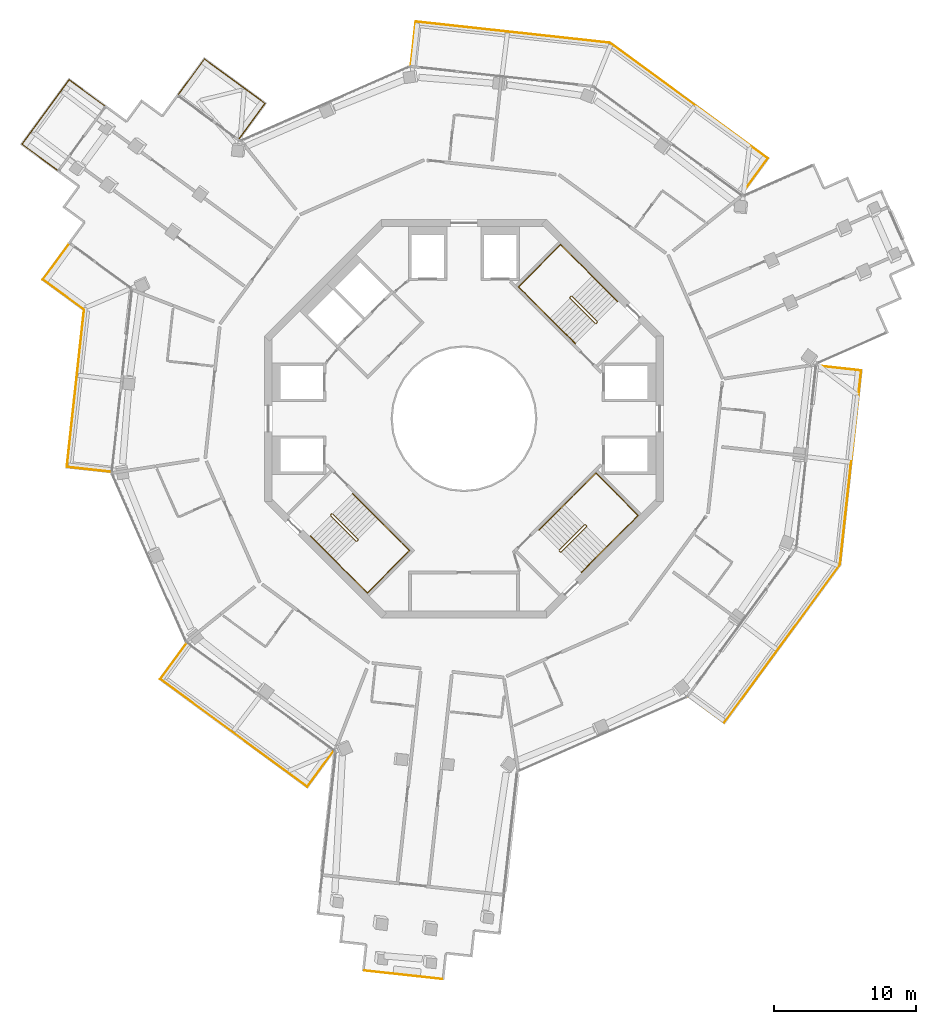
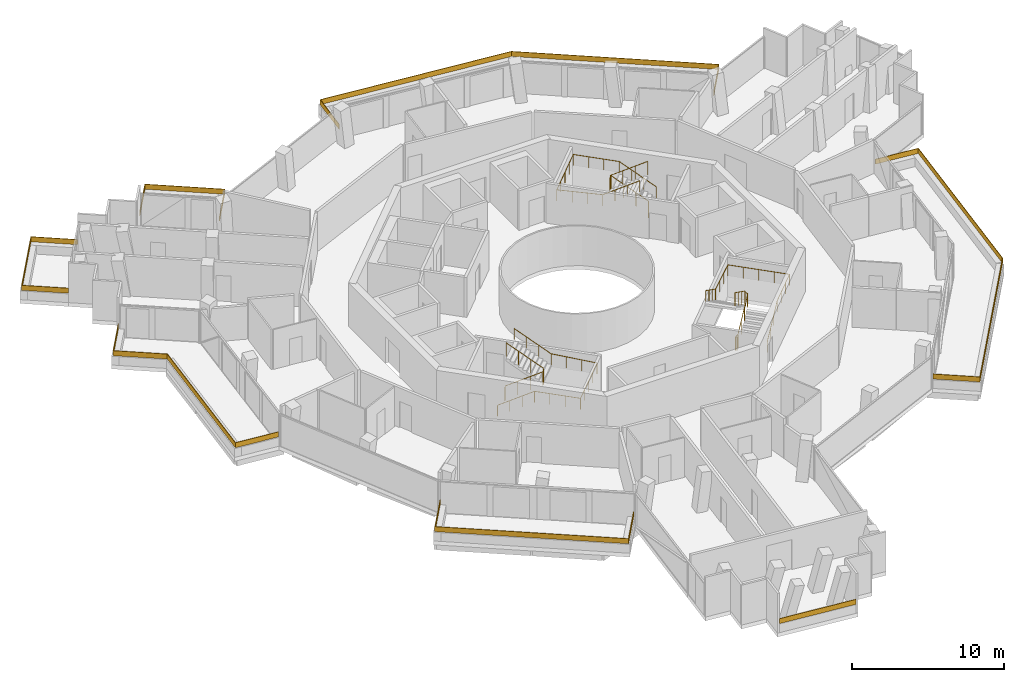
# One storey, part 22 of 22: 13 railings.
"""IFC4 building model written with IfcOpenShell, lengths in metres."""

from ifc_helpers import new_model, si_unit, direction, frame, origin, origin_2d, place, context, subcontext, project, spatial, polyline, rectangle, circle, outline, extrude, material, layer, layer_set, type_object, element, save


model = new_model("IFC4")

# Units and contexts
model_context = context("Model", 3, precision=1e-05, world=origin(), true_north=direction((0.0, 1.0)))
body_context = subcontext(model_context, "Body", "Model", "MODEL_VIEW")
ifc_project = project(units=[si_unit("LENGTHUNIT", "METRE"), si_unit("AREAUNIT", "SQUARE_METRE"), si_unit("VOLUMEUNIT", "CUBIC_METRE"), si_unit("PLANEANGLEUNIT", "RADIAN"), si_unit("MASSUNIT", "GRAM", prefix="KILO")], contexts=[model_context])

# Site, building, storey
site_placement = place(None, origin())
site = spatial("IfcSite", under=ifc_project, at=site_placement, CompositionType="ELEMENT")
building_placement = place(site_placement, origin())
building = spatial("IfcBuilding", under=site, at=building_placement, Name="Verdalira Terraces Hotel", CompositionType="ELEMENT")
storey_placement = place(building_placement, frame((0.0, 0.0, 252.5)))
storey = spatial("IfcBuildingStorey", under=building, at=storey_placement, Name="L62", CompositionType="ELEMENT", Elevation=252.5)

# Railings
ifc_material_1 = material(Name="Laminated glass", Category="glass")
ifc_layer = layer(ifc_material_1, 0.0400390625)
ifc_layer_set = layer_set([ifc_layer], Name="Balcony glass guard 400")
railing_type_1 = type_object("IfcRailingType", Name="Balcony glass guard 400", PredefinedType="GUARDRAIL", material=ifc_layer_set)
railing_1_placement = place(storey_placement, frame((0.0, 0.0, 0.699951)))
element("IfcRailing", 1, at=railing_1_placement, inside=storey, type_object=railing_type_1, Name="Balcony glass guard", PredefinedType="GUARDRAIL", context=body_context, shape_type="SweptSolid", body=[
    extrude(outline(polyline([(-27.727051, 23.769775), (-31.013916, 19.2854), (-28.530518, 17.465088), (-28.554199, 17.432861), (-31.069824, 19.276611), (-27.735596, 23.825684), (-25.219971, 21.981689), (-25.243652, 21.949463), (-27.727051, 23.769775)])), origin(), (0.0, 0.0, 1.0), 0.400146),
])
railing_2_placement = place(storey_placement, frame((0.0, 0.0, 0.699951)))
element("IfcRailing", 2, at=railing_2_placement, inside=storey, type_object=railing_type_1, Name="Balcony glass guard", PredefinedType="GUARDRAIL", context=body_context, shape_type="SweptSolid", body=[
    extrude(outline(polyline([(-29.549316, 9.780762), (-26.663086, 7.665283), (-27.869873, -3.370605), (-24.809082, -3.705322), (-24.813477, -3.745117), (-27.913818, -3.406006), (-26.705322, 7.646729), (-29.605225, 9.772217), (-27.761475, 12.287842), (-27.729248, 12.26416), (-29.549316, 9.780762)])), origin(), (0.0, 0.0, 1.0), 0.400146),
])
railing_3_placement = place(storey_placement, frame((0.0, 0.0, 0.699951)))
element("IfcRailing", 3, at=railing_3_placement, inside=storey, type_object=railing_type_1, Name="Balcony glass guard", PredefinedType="GUARDRAIL", context=body_context, shape_type="SweptSolid", body=[
    extrude(outline(polyline([(-21.307373, -18.278076), (-11.015869, -25.821289), (-9.195557, -23.337891), (-9.16333, -23.361572), (-11.00708, -25.877197), (-21.363281, -18.286621), (-19.519287, -15.770996), (-19.487061, -15.794678), (-21.307373, -18.278076)])), origin(), (0.0, 0.0, 1.0), 0.400146),
])
railing_4_placement = place(storey_placement, frame((0.0, 0.0, 0.699951)))
element("IfcRailing", 4, at=railing_4_placement, inside=storey, type_object=railing_type_1, Name="Balcony glass guard", PredefinedType="GUARDRAIL", context=body_context, shape_type="SweptSolid", body=[
    extrude(outline(polyline([(18.278076, -21.307373), (26.380127, -10.253418), (27.869873, 3.370605), (24.809082, 3.705322), (24.813477, 3.745117), (27.913818, 3.406006), (26.418701, -10.268311), (18.286621, -21.363281), (15.770996, -19.519287), (15.794678, -19.487061), (18.278076, -21.307373)])), origin(), (0.0, 0.0, 1.0), 0.400146),
])
railing_5_placement = place(storey_placement, frame((0.0, 0.0, 0.699951)))
element("IfcRailing", 5, at=railing_5_placement, inside=storey, type_object=railing_type_1, Name="Balcony glass guard", PredefinedType="GUARDRAIL", context=body_context, shape_type="SweptSolid", body=[
    extrude(outline(polyline([(21.307373, 18.278076), (10.253418, 26.380127), (-3.370605, 27.869873), (-3.705322, 24.809082), (-3.745117, 24.813477), (-3.406006, 27.913818), (10.268311, 26.418701), (21.363281, 18.286621), (19.519287, 15.770996), (19.487061, 15.794678), (21.307373, 18.278076)])), origin(), (0.0, 0.0, 1.0), 0.400146),
])
railing_6_placement = place(storey_placement, frame((0.0, 0.0, 0.699951)))
element("IfcRailing", 6, at=railing_6_placement, inside=storey, type_object=railing_type_1, Name="Balcony glass guard", PredefinedType="GUARDRAIL", context=body_context, shape_type="SweptSolid", body=[
    extrude(outline(polyline([(-13.998779, 22.138428), (-18.222656, 25.234375), (-20.042725, 22.750977), (-20.075195, 22.774658), (-18.231201, 25.290283), (-13.942871, 22.146973), (-15.786865, 19.631348), (-15.819092, 19.655029), (-13.998779, 22.138428)])), origin(), (0.0, 0.0, 1.0), 0.400146),
])
railing_7_placement = place(storey_placement, frame((-4.27002, -39.05249, 0.699951), z_axis=(0.0, 0.0, 1.0), x_axis=(0.994075324, -0.108693378, 0.0)))
element("IfcRailing", 7, at=railing_7_placement, inside=storey, type_object=railing_type_1, Name="Loggia glass guard", PredefinedType="GUARDRAIL", context=body_context, shape_type="SweptSolid", body=[
    extrude(rectangle(XDim=5.5, YDim=0.040039, at=origin_2d()), origin(), (0.0, 0.0, 1.0), 0.399902),
])
ifc_material_2 = material(Name="Stainless steel", Category="steel")
railing_type_2 = type_object("IfcRailingType", Name="Stair guard 1100", PredefinedType="GUARDRAIL", material=ifc_material_2)
railing_8_placement = place(storey_placement, frame((9.369141, 6.75293, 0.0)))
element("IfcRailing", 8, at=railing_8_placement, inside=storey, type_object=railing_type_2, Name="L62 ST1 stair guard 1", PredefinedType="GUARDRAIL", context=body_context, shape_type="SweptSolid", body=[
    extrude(circle(Radius=0.023926, at=origin_2d()), frame((0.0, 0.0, 1.076172), z_axis=(-0.707106781, -0.707106781, 0.0), x_axis=(0.707106781, -0.707106781, 0.0)), (0.0, 0.0, 1.0), 0.100098),
    extrude(circle(Radius=0.023926, at=origin_2d()), frame((-0.070801, -0.070801, 1.076172), z_axis=(0.300162975, 0.599290904, 0.742127078), x_axis=(-0.894118129, 0.447831187, 0.0)), (0.0, 0.0, 1.0), 0.23584),
    extrude(circle(Radius=0.023926, at=origin_2d()), frame((0.0, 0.070557, 1.250977), z_axis=(-0.599637504, 0.599637504, 0.52997144), x_axis=(-0.707106781, -0.707106781, 0.0)), (0.0, 0.0, 1.0), 2.97168),
    extrude(circle(Radius=0.023926, at=origin_2d()), frame((-1.781982, 1.852539, 2.826172), z_axis=(-1.0, 0.0, 0.0), x_axis=(0.0, -1.0, 0.0)), (0.0, 0.0, 1.0), 0.070557),
    extrude(circle(Radius=0.023926, at=origin_2d()), frame((-1.852539, 1.852539, 2.826172), z_axis=(-0.707106781, -0.707106781, 0.0), x_axis=(0.707106781, -0.707106781, 0.0)), (0.0, 0.0, 1.0), 0.100098),
    extrude(circle(Radius=0.023926, at=origin_2d()), frame((-1.92334, 1.781738, 2.826172), z_axis=(0.0, -0.373842709, 0.927492118), x_axis=(1.0, 0.0, 0.0)), (0.0, 0.0, 1.0), 0.188721),
    extrude(circle(Radius=0.023926, at=origin_2d()), frame((-1.92334, 1.711182, 3.000977), z_axis=(0.599637504, -0.599637504, 0.52997144), x_axis=(0.707106781, 0.707106781, 0.0)), (0.0, 0.0, 1.0), 2.97168),
    extrude(circle(Radius=0.020996, at=origin_2d()), origin(), (0.0, 0.0, 1.0), 1.052002),
    extrude(circle(Radius=0.020996, at=origin_2d()), frame((-0.070801, -0.070801, 0.0)), (0.0, 0.0, 1.0), 1.052002),
    extrude(circle(Radius=0.020996, at=origin_2d()), frame((0.0, 0.070557, 0.175049)), (0.0, 0.0, 1.0), 1.052002),
    extrude(circle(Radius=0.020996, at=origin_2d()), frame((-0.593994, 0.664551, 0.699951)), (0.0, 0.0, 1.0), 1.052002),
    extrude(circle(Radius=0.020996, at=origin_2d()), frame((-1.187988, 1.258545, 1.225098)), (0.0, 0.0, 1.0), 1.052002),
    extrude(circle(Radius=0.020996, at=origin_2d()), frame((-1.781982, 1.852539, 1.75)), (0.0, 0.0, 1.0), 1.052002),
    extrude(circle(Radius=0.020996, at=origin_2d()), frame((-1.852539, 1.852539, 1.75)), (0.0, 0.0, 1.0), 1.052002),
    extrude(circle(Radius=0.020996, at=origin_2d()), frame((-1.92334, 1.781738, 1.75)), (0.0, 0.0, 1.0), 1.052002),
    extrude(circle(Radius=0.020996, at=origin_2d()), frame((-1.92334, 1.711182, 1.925049)), (0.0, 0.0, 1.0), 1.052002),
    extrude(circle(Radius=0.020996, at=origin_2d()), frame((-1.329346, 1.117188, 2.449951)), (0.0, 0.0, 1.0), 1.052002),
    extrude(circle(Radius=0.020996, at=origin_2d()), frame((-0.735352, 0.523193, 2.975098)), (0.0, 0.0, 1.0), 1.052002),
    extrude(circle(Radius=0.020996, at=origin_2d()), frame((-0.141357, -0.070801, 3.5)), (0.0, 0.0, 1.0), 1.052002),
])
railing_9_placement = place(storey_placement, frame((-9.369141, -6.75293, 0.0)))
element("IfcRailing", 9, at=railing_9_placement, inside=storey, type_object=railing_type_2, Name="L62 ST2 stair guard 1", PredefinedType="GUARDRAIL", context=body_context, shape_type="SweptSolid", body=[
    extrude(circle(Radius=0.023926, at=origin_2d()), frame((0.0, 0.0, 1.076172), z_axis=(0.707106781, 0.707106781, 0.0), x_axis=(-0.707106781, 0.707106781, 0.0)), (0.0, 0.0, 1.0), 0.100098),
    extrude(circle(Radius=0.023926, at=origin_2d()), frame((0.070801, 0.070801, 1.076172), z_axis=(-0.300162975, -0.599290904, 0.742127078), x_axis=(0.894118129, -0.447831187, 0.0)), (0.0, 0.0, 1.0), 0.23584),
    extrude(circle(Radius=0.023926, at=origin_2d()), frame((0.0, -0.070557, 1.250977), z_axis=(0.599637504, -0.599637504, 0.52997144), x_axis=(0.707106781, 0.707106781, 0.0)), (0.0, 0.0, 1.0), 2.97168),
    extrude(circle(Radius=0.023926, at=origin_2d()), frame((1.781982, -1.852539, 2.826172), z_axis=(1.0, 0.0, 0.0), x_axis=(0.0, 1.0, 0.0)), (0.0, 0.0, 1.0), 0.070557),
    extrude(circle(Radius=0.023926, at=origin_2d()), frame((1.852539, -1.852539, 2.826172), z_axis=(0.707106781, 0.707106781, 0.0), x_axis=(-0.707106781, 0.707106781, 0.0)), (0.0, 0.0, 1.0), 0.100098),
    extrude(circle(Radius=0.023926, at=origin_2d()), frame((1.92334, -1.781738, 2.826172), z_axis=(0.0, 0.373842709, 0.927492118), x_axis=(-1.0, 0.0, 0.0)), (0.0, 0.0, 1.0), 0.188721),
    extrude(circle(Radius=0.023926, at=origin_2d()), frame((1.92334, -1.711182, 3.000977), z_axis=(-0.599637504, 0.599637504, 0.52997144), x_axis=(-0.707106781, -0.707106781, 0.0)), (0.0, 0.0, 1.0), 2.97168),
    extrude(circle(Radius=0.020996, at=origin_2d()), origin(), (0.0, 0.0, 1.0), 1.052002),
    extrude(circle(Radius=0.020996, at=origin_2d()), frame((0.070801, 0.070801, 0.0)), (0.0, 0.0, 1.0), 1.052002),
    extrude(circle(Radius=0.020996, at=origin_2d()), frame((0.0, -0.070557, 0.175049)), (0.0, 0.0, 1.0), 1.052002),
    extrude(circle(Radius=0.020996, at=origin_2d()), frame((0.593994, -0.664551, 0.699951)), (0.0, 0.0, 1.0), 1.052002),
    extrude(circle(Radius=0.020996, at=origin_2d()), frame((1.187988, -1.258545, 1.225098)), (0.0, 0.0, 1.0), 1.052002),
    extrude(circle(Radius=0.020996, at=origin_2d()), frame((1.781982, -1.852539, 1.75)), (0.0, 0.0, 1.0), 1.052002),
    extrude(circle(Radius=0.020996, at=origin_2d()), frame((1.852539, -1.852539, 1.75)), (0.0, 0.0, 1.0), 1.052002),
    extrude(circle(Radius=0.020996, at=origin_2d()), frame((1.92334, -1.781738, 1.75)), (0.0, 0.0, 1.0), 1.052002),
    extrude(circle(Radius=0.020996, at=origin_2d()), frame((1.92334, -1.711182, 1.925049)), (0.0, 0.0, 1.0), 1.052002),
    extrude(circle(Radius=0.020996, at=origin_2d()), frame((1.329346, -1.117188, 2.449951)), (0.0, 0.0, 1.0), 1.052002),
    extrude(circle(Radius=0.020996, at=origin_2d()), frame((0.735352, -0.523193, 2.975098)), (0.0, 0.0, 1.0), 1.052002),
    extrude(circle(Radius=0.020996, at=origin_2d()), frame((0.141357, 0.070801, 3.5)), (0.0, 0.0, 1.0), 1.052002),
])
railing_10_placement = place(storey_placement, frame((6.75293, -9.369141, 0.0)))
element("IfcRailing", 10, at=railing_10_placement, inside=storey, type_object=railing_type_2, Name="L62 ST3 stair guard 1", PredefinedType="GUARDRAIL", context=body_context, shape_type="SweptSolid", body=[
    extrude(circle(Radius=0.023926, at=origin_2d()), frame((0.0, 0.0, 1.076172), z_axis=(-0.707106781, 0.707106781, 0.0), x_axis=(-0.707106781, -0.707106781, 0.0)), (0.0, 0.0, 1.0), 0.100098),
    extrude(circle(Radius=0.023926, at=origin_2d()), frame((-0.070801, 0.070801, 1.076172), z_axis=(0.599290904, -0.300162975, 0.742127078), x_axis=(0.447831187, 0.894118129, 0.0)), (0.0, 0.0, 1.0), 0.23584),
    extrude(circle(Radius=0.023926, at=origin_2d()), frame((0.070557, 0.0, 1.250977), z_axis=(0.599637504, 0.599637504, 0.52997144), x_axis=(-0.707106781, 0.707106781, 0.0)), (0.0, 0.0, 1.0), 2.97168),
    extrude(circle(Radius=0.023926, at=origin_2d()), frame((1.852539, 1.781982, 2.826172), z_axis=(0.0, 1.0, 0.0), x_axis=(-1.0, 0.0, 0.0)), (0.0, 0.0, 1.0), 0.070557),
    extrude(circle(Radius=0.023926, at=origin_2d()), frame((1.852539, 1.852539, 2.826172), z_axis=(-0.707106781, 0.707106781, 0.0), x_axis=(-0.707106781, -0.707106781, 0.0)), (0.0, 0.0, 1.0), 0.100098),
    extrude(circle(Radius=0.023926, at=origin_2d()), frame((1.781738, 1.92334, 2.826172), z_axis=(-0.373842709, 0.0, 0.927492118), x_axis=(0.0, -1.0, 0.0)), (0.0, 0.0, 1.0), 0.188721),
    extrude(circle(Radius=0.023926, at=origin_2d()), frame((1.711182, 1.92334, 3.000977), z_axis=(-0.599637504, -0.599637504, 0.52997144), x_axis=(0.707106781, -0.707106781, 0.0)), (0.0, 0.0, 1.0), 2.97168),
    extrude(circle(Radius=0.020996, at=origin_2d()), origin(), (0.0, 0.0, 1.0), 1.052002),
    extrude(circle(Radius=0.020996, at=origin_2d()), frame((-0.070801, 0.070801, 0.0)), (0.0, 0.0, 1.0), 1.052002),
    extrude(circle(Radius=0.020996, at=origin_2d()), frame((0.070557, 0.0, 0.175049)), (0.0, 0.0, 1.0), 1.052002),
    extrude(circle(Radius=0.020996, at=origin_2d()), frame((0.664551, 0.593994, 0.699951)), (0.0, 0.0, 1.0), 1.052002),
    extrude(circle(Radius=0.020996, at=origin_2d()), frame((1.258545, 1.187988, 1.225098)), (0.0, 0.0, 1.0), 1.052002),
    extrude(circle(Radius=0.020996, at=origin_2d()), frame((1.852539, 1.781982, 1.75)), (0.0, 0.0, 1.0), 1.052002),
    extrude(circle(Radius=0.020996, at=origin_2d()), frame((1.852539, 1.852539, 1.75)), (0.0, 0.0, 1.0), 1.052002),
    extrude(circle(Radius=0.020996, at=origin_2d()), frame((1.781738, 1.92334, 1.75)), (0.0, 0.0, 1.0), 1.052002),
    extrude(circle(Radius=0.020996, at=origin_2d()), frame((1.711182, 1.92334, 1.925049)), (0.0, 0.0, 1.0), 1.052002),
    extrude(circle(Radius=0.020996, at=origin_2d()), frame((1.117188, 1.329346, 2.449951)), (0.0, 0.0, 1.0), 1.052002),
    extrude(circle(Radius=0.020996, at=origin_2d()), frame((0.523193, 0.735352, 2.975098)), (0.0, 0.0, 1.0), 1.052002),
    extrude(circle(Radius=0.020996, at=origin_2d()), frame((-0.070801, 0.141357, 3.5)), (0.0, 0.0, 1.0), 1.052002),
])
ifc_material_3 = material(Name="Stainless steel", Category="steel")
railing_type_3 = type_object("IfcRailingType", Name="Stair handrail 900", PredefinedType="HANDRAIL", material=ifc_material_3)
railing_11_placement = place(storey_placement, frame((10.783447, 8.237793, 0.175049)))
element("IfcRailing", 11, at=railing_11_placement, inside=storey, type_object=railing_type_3, Name="L62 ST1 stair handrail 1", PredefinedType="HANDRAIL", context=body_context, shape_type="SweptSolid", body=[
    extrude(circle(Radius=0.023926, at=origin_2d()), frame((0.0, 0.0, 0.875977), z_axis=(-0.599637504, 0.599637504, 0.52997144), x_axis=(-0.707106781, -0.707106781, 0.0)), (0.0, 0.0, 1.0), 2.97168),
    extrude(circle(Radius=0.023926, at=origin_2d()), frame((-1.781982, 1.781982, 2.450684), z_axis=(-0.707106781, 0.707106781, 0.0), x_axis=(-0.707106781, -0.707106781, 0.0)), (0.0, 0.0, 1.0), 3.129883),
    extrude(circle(Radius=0.023926, at=origin_2d()), frame((-3.995117, 3.995117, 2.450684), z_axis=(-0.707135845, -0.707077716, 0.0), x_axis=(0.707077716, -0.707135845, 0.0)), (0.0, 0.0, 1.0), 4.199951),
    extrude(circle(Radius=0.023926, at=origin_2d()), frame((-6.965088, 1.025391, 2.450684), z_axis=(0.706003682, -0.706003682, 0.0558355), x_axis=(0.707106781, 0.707106781, 0.0)), (0.0, 0.0, 1.0), 3.13501),
    extrude(circle(Radius=0.023926, at=origin_2d()), frame((-4.751709, -1.187988, 2.625977), z_axis=(0.599614426, -0.599614426, 0.530023659), x_axis=(0.707106781, 0.707106781, 0.0)), (0.0, 0.0, 1.0), 2.971436),
    extrude(circle(Radius=0.020996, at=origin_2d()), origin(), (0.0, 0.0, 1.0), 0.851807),
    extrude(circle(Radius=0.020996, at=origin_2d()), frame((-0.593994, 0.593994, 0.524902)), (0.0, 0.0, 1.0), 0.851807),
    extrude(circle(Radius=0.020996, at=origin_2d()), frame((-1.187988, 1.187988, 1.050049)), (0.0, 0.0, 1.0), 0.851807),
    extrude(circle(Radius=0.020996, at=origin_2d()), frame((-1.781982, 1.781982, 1.574951)), (0.0, 0.0, 1.0), 0.851807),
    extrude(circle(Radius=0.020996, at=origin_2d()), frame((-2.519775, 2.519775, 1.574951)), (0.0, 0.0, 1.0), 0.851807),
    extrude(circle(Radius=0.020996, at=origin_2d()), frame((-3.257324, 3.257324, 1.574951)), (0.0, 0.0, 1.0), 0.851807),
    extrude(circle(Radius=0.020996, at=origin_2d()), frame((-3.995117, 3.995117, 1.574951)), (0.0, 0.0, 1.0), 0.851807),
    extrude(circle(Radius=0.020996, at=origin_2d()), frame((-4.737549, 3.252686, 1.574951)), (0.0, 0.0, 1.0), 0.851807),
    extrude(circle(Radius=0.020996, at=origin_2d()), frame((-5.47998, 2.510254, 1.574951)), (0.0, 0.0, 1.0), 0.851807),
    extrude(circle(Radius=0.020996, at=origin_2d()), frame((-6.222656, 1.767822, 1.574951)), (0.0, 0.0, 1.0), 0.851807),
    extrude(circle(Radius=0.020996, at=origin_2d()), frame((-6.965088, 1.025391, 1.574951)), (0.0, 0.0, 1.0), 0.851807),
    extrude(circle(Radius=0.020996, at=origin_2d()), frame((-6.227295, 0.287598, 1.633301)), (0.0, 0.0, 1.0), 0.851807),
    extrude(circle(Radius=0.020996, at=origin_2d()), frame((-5.489502, -0.450195, 1.69165)), (0.0, 0.0, 1.0), 0.851807),
    extrude(circle(Radius=0.020996, at=origin_2d()), frame((-4.751709, -1.187988, 1.75)), (0.0, 0.0, 1.0), 0.851807),
    extrude(circle(Radius=0.020996, at=origin_2d()), frame((-4.157715, -1.781982, 2.274902)), (0.0, 0.0, 1.0), 0.851807),
    extrude(circle(Radius=0.020996, at=origin_2d()), frame((-3.563965, -2.375732, 2.800049)), (0.0, 0.0, 1.0), 0.851807),
    extrude(circle(Radius=0.020996, at=origin_2d()), frame((-2.969971, -2.969727, 3.324951)), (0.0, 0.0, 1.0), 0.851807),
])
railing_12_placement = place(storey_placement, frame((-10.783447, -8.237793, 0.175049)))
element("IfcRailing", 12, at=railing_12_placement, inside=storey, type_object=railing_type_3, Name="L62 ST2 stair handrail 1", PredefinedType="HANDRAIL", context=body_context, shape_type="SweptSolid", body=[
    extrude(circle(Radius=0.023926, at=origin_2d()), frame((0.0, 0.0, 0.875977), z_axis=(0.599637504, -0.599637504, 0.52997144), x_axis=(0.707106781, 0.707106781, 0.0)), (0.0, 0.0, 1.0), 2.97168),
    extrude(circle(Radius=0.023926, at=origin_2d()), frame((1.781982, -1.781982, 2.450684), z_axis=(0.707106781, -0.707106781, 0.0), x_axis=(0.707106781, 0.707106781, 0.0)), (0.0, 0.0, 1.0), 3.129883),
    extrude(circle(Radius=0.023926, at=origin_2d()), frame((3.995117, -3.995117, 2.450684), z_axis=(0.707135845, 0.707077716, 0.0), x_axis=(-0.707077716, 0.707135845, 0.0)), (0.0, 0.0, 1.0), 4.199951),
    extrude(circle(Radius=0.023926, at=origin_2d()), frame((6.965088, -1.025391, 2.450684), z_axis=(-0.706003682, 0.706003682, 0.0558355), x_axis=(-0.707106781, -0.707106781, 0.0)), (0.0, 0.0, 1.0), 3.13501),
    extrude(circle(Radius=0.023926, at=origin_2d()), frame((4.751709, 1.187988, 2.625977), z_axis=(-0.599614426, 0.599614426, 0.530023659), x_axis=(-0.707106781, -0.707106781, 0.0)), (0.0, 0.0, 1.0), 2.971436),
    extrude(circle(Radius=0.020996, at=origin_2d()), origin(), (0.0, 0.0, 1.0), 0.851807),
    extrude(circle(Radius=0.020996, at=origin_2d()), frame((0.593994, -0.593994, 0.524902)), (0.0, 0.0, 1.0), 0.851807),
    extrude(circle(Radius=0.020996, at=origin_2d()), frame((1.187988, -1.187988, 1.050049)), (0.0, 0.0, 1.0), 0.851807),
    extrude(circle(Radius=0.020996, at=origin_2d()), frame((1.781982, -1.781982, 1.574951)), (0.0, 0.0, 1.0), 0.851807),
    extrude(circle(Radius=0.020996, at=origin_2d()), frame((2.519775, -2.519775, 1.574951)), (0.0, 0.0, 1.0), 0.851807),
    extrude(circle(Radius=0.020996, at=origin_2d()), frame((3.257324, -3.257324, 1.574951)), (0.0, 0.0, 1.0), 0.851807),
    extrude(circle(Radius=0.020996, at=origin_2d()), frame((3.995117, -3.995117, 1.574951)), (0.0, 0.0, 1.0), 0.851807),
    extrude(circle(Radius=0.020996, at=origin_2d()), frame((4.737549, -3.252686, 1.574951)), (0.0, 0.0, 1.0), 0.851807),
    extrude(circle(Radius=0.020996, at=origin_2d()), frame((5.47998, -2.510254, 1.574951)), (0.0, 0.0, 1.0), 0.851807),
    extrude(circle(Radius=0.020996, at=origin_2d()), frame((6.222656, -1.767822, 1.574951)), (0.0, 0.0, 1.0), 0.851807),
    extrude(circle(Radius=0.020996, at=origin_2d()), frame((6.965088, -1.025391, 1.574951)), (0.0, 0.0, 1.0), 0.851807),
    extrude(circle(Radius=0.020996, at=origin_2d()), frame((6.227295, -0.287598, 1.633301)), (0.0, 0.0, 1.0), 0.851807),
    extrude(circle(Radius=0.020996, at=origin_2d()), frame((5.489502, 0.450195, 1.69165)), (0.0, 0.0, 1.0), 0.851807),
    extrude(circle(Radius=0.020996, at=origin_2d()), frame((4.751709, 1.187988, 1.75)), (0.0, 0.0, 1.0), 0.851807),
    extrude(circle(Radius=0.020996, at=origin_2d()), frame((4.157715, 1.781982, 2.274902)), (0.0, 0.0, 1.0), 0.851807),
    extrude(circle(Radius=0.020996, at=origin_2d()), frame((3.563965, 2.375732, 2.800049)), (0.0, 0.0, 1.0), 0.851807),
    extrude(circle(Radius=0.020996, at=origin_2d()), frame((2.969971, 2.969727, 3.324951)), (0.0, 0.0, 1.0), 0.851807),
])
railing_13_placement = place(storey_placement, frame((8.237793, -10.783447, 0.175049)))
element("IfcRailing", 13, at=railing_13_placement, inside=storey, type_object=railing_type_3, Name="L62 ST3 stair handrail 1", PredefinedType="HANDRAIL", context=body_context, shape_type="SweptSolid", body=[
    extrude(circle(Radius=0.023926, at=origin_2d()), frame((0.0, 0.0, 0.875977), z_axis=(0.599637504, 0.599637504, 0.52997144), x_axis=(-0.707106781, 0.707106781, 0.0)), (0.0, 0.0, 1.0), 2.97168),
    extrude(circle(Radius=0.023926, at=origin_2d()), frame((1.781982, 1.781982, 2.450684), z_axis=(0.707106781, 0.707106781, 0.0), x_axis=(-0.707106781, 0.707106781, 0.0)), (0.0, 0.0, 1.0), 3.129883),
    extrude(circle(Radius=0.023926, at=origin_2d()), frame((3.995117, 3.995117, 2.450684), z_axis=(-0.707077716, 0.707135845, 0.0), x_axis=(-0.707135845, -0.707077716, 0.0)), (0.0, 0.0, 1.0), 4.199951),
    extrude(circle(Radius=0.023926, at=origin_2d()), frame((1.025391, 6.965088, 2.450684), z_axis=(-0.706003682, -0.706003682, 0.0558355), x_axis=(0.707106781, -0.707106781, 0.0)), (0.0, 0.0, 1.0), 3.13501),
    extrude(circle(Radius=0.023926, at=origin_2d()), frame((-1.187988, 4.751709, 2.625977), z_axis=(-0.599614426, -0.599614426, 0.530023659), x_axis=(0.707106781, -0.707106781, 0.0)), (0.0, 0.0, 1.0), 2.971436),
    extrude(circle(Radius=0.020996, at=origin_2d()), origin(), (0.0, 0.0, 1.0), 0.851807),
    extrude(circle(Radius=0.020996, at=origin_2d()), frame((0.593994, 0.593994, 0.524902)), (0.0, 0.0, 1.0), 0.851807),
    extrude(circle(Radius=0.020996, at=origin_2d()), frame((1.187988, 1.187988, 1.050049)), (0.0, 0.0, 1.0), 0.851807),
    extrude(circle(Radius=0.020996, at=origin_2d()), frame((1.781982, 1.781982, 1.574951)), (0.0, 0.0, 1.0), 0.851807),
    extrude(circle(Radius=0.020996, at=origin_2d()), frame((2.519775, 2.519775, 1.574951)), (0.0, 0.0, 1.0), 0.851807),
    extrude(circle(Radius=0.020996, at=origin_2d()), frame((3.257324, 3.257324, 1.574951)), (0.0, 0.0, 1.0), 0.851807),
    extrude(circle(Radius=0.020996, at=origin_2d()), frame((3.995117, 3.995117, 1.574951)), (0.0, 0.0, 1.0), 0.851807),
    extrude(circle(Radius=0.020996, at=origin_2d()), frame((3.252686, 4.737549, 1.574951)), (0.0, 0.0, 1.0), 0.851807),
    extrude(circle(Radius=0.020996, at=origin_2d()), frame((2.510254, 5.47998, 1.574951)), (0.0, 0.0, 1.0), 0.851807),
    extrude(circle(Radius=0.020996, at=origin_2d()), frame((1.767822, 6.222656, 1.574951)), (0.0, 0.0, 1.0), 0.851807),
    extrude(circle(Radius=0.020996, at=origin_2d()), frame((1.025391, 6.965088, 1.574951)), (0.0, 0.0, 1.0), 0.851807),
    extrude(circle(Radius=0.020996, at=origin_2d()), frame((0.287598, 6.227295, 1.633301)), (0.0, 0.0, 1.0), 0.851807),
    extrude(circle(Radius=0.020996, at=origin_2d()), frame((-0.450195, 5.489502, 1.69165)), (0.0, 0.0, 1.0), 0.851807),
    extrude(circle(Radius=0.020996, at=origin_2d()), frame((-1.187988, 4.751709, 1.75)), (0.0, 0.0, 1.0), 0.851807),
    extrude(circle(Radius=0.020996, at=origin_2d()), frame((-1.781982, 4.157715, 2.274902)), (0.0, 0.0, 1.0), 0.851807),
    extrude(circle(Radius=0.020996, at=origin_2d()), frame((-2.375732, 3.563965, 2.800049)), (0.0, 0.0, 1.0), 0.851807),
    extrude(circle(Radius=0.020996, at=origin_2d()), frame((-2.969727, 2.969971, 3.324951)), (0.0, 0.0, 1.0), 0.851807),
])

save(model, "model.ifc")
